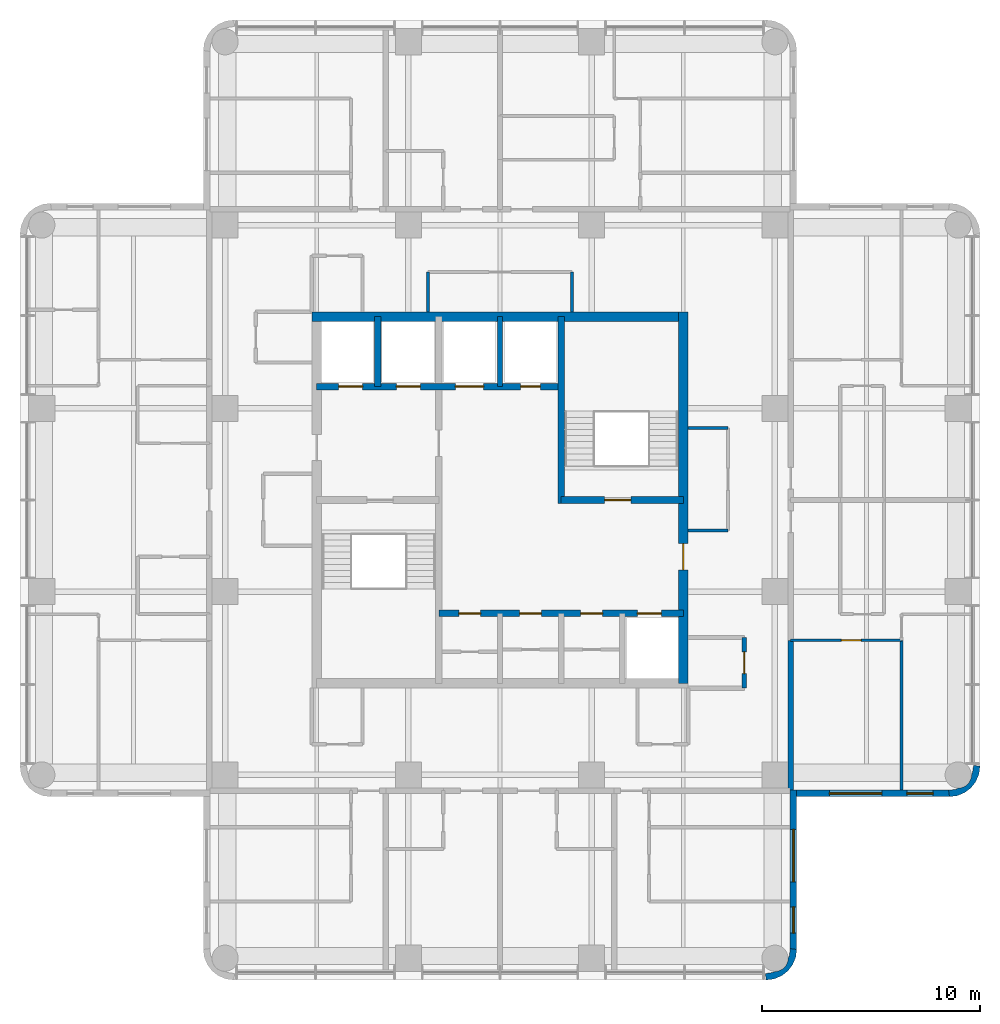
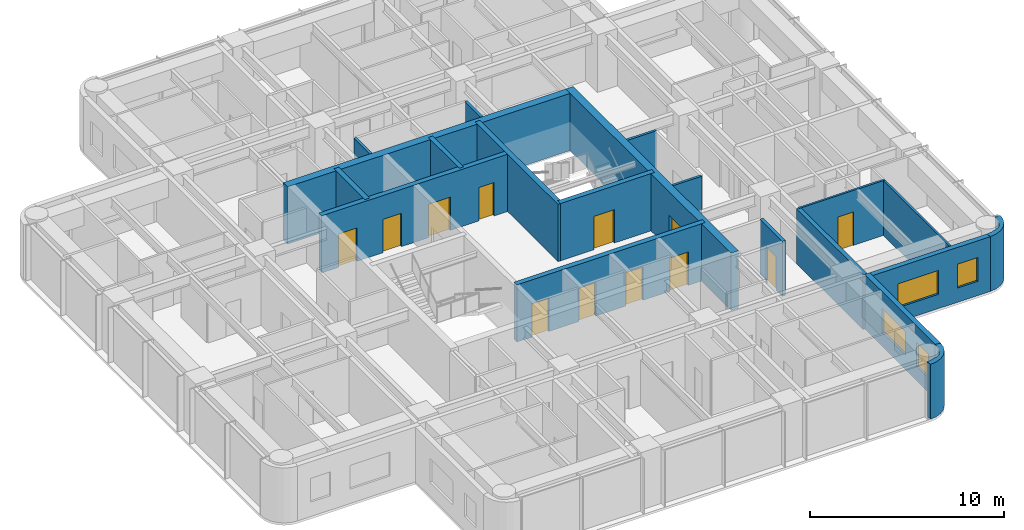
# One storey, part 6 of 10: 20 walls, 12 doors, 4 windows, 16 openings.
"""IFC4 building model written with IfcOpenShell, lengths in metres."""

from ifc_helpers import new_model, si_unit, direction, frame, frame_2d, origin, place, context, subcontext, project, spatial, polyline, rectangle, outline, extrude, material, layer, layer_set, type_object, element, fill, save


model = new_model("IFC4")

# Units and contexts
model_context = context("Model", 3, precision=1e-05, world=origin(), true_north=direction((0.0, 1.0)))
body_context = subcontext(model_context, "Body", "Model", "MODEL_VIEW")
ifc_project = project(units=[si_unit("LENGTHUNIT", "METRE"), si_unit("AREAUNIT", "SQUARE_METRE"), si_unit("VOLUMEUNIT", "CUBIC_METRE"), si_unit("PLANEANGLEUNIT", "RADIAN"), si_unit("MASSUNIT", "GRAM", prefix="KILO")], contexts=[model_context])

# Site, building, storey
site_placement = place(None, origin())
site = spatial("IfcSite", under=ifc_project, at=site_placement, CompositionType="ELEMENT")
building_placement = place(site_placement, origin())
building = spatial("IfcBuilding", under=site, at=building_placement, Name="Torre Alcanfor", CompositionType="ELEMENT")
storey_placement = place(building_placement, frame((0.0, 0.0, 272.10009765625)))
storey = spatial("IfcBuildingStorey", under=building, at=storey_placement, Name="L71", CompositionType="ELEMENT", Elevation=272.10009765625)

# Wall
ifc_material_1 = material(Name="Concrete block masonry, hollow blocks NMX-C-404 9 MPa", Category="masonry")
ifc_layer_1 = layer(ifc_material_1, 0.25)
ifc_layer_set_1 = layer_set([ifc_layer_1], Name="Apartment entrance wall 250 EI 60")
wall_type_1 = type_object("IfcWallType", Name="Apartment entrance wall 250 EI 60", PredefinedType="PARTITIONING", material=ifc_layer_set_1)
wall_1_placement = place(storey_placement, frame((42.72509765625, 22.970947265625, 0.0), z_axis=(0.0, 0.0, 1.0), x_axis=(0.0, -1.0, 0.0)))
element("IfcWall", 1, at=wall_1_placement, inside=storey, type_object=wall_type_1, Name="Partition L71-CORR / L71-E2-BED2", PredefinedType="PARTITIONING", context=body_context, shape_type="SweptSolid", body=[
    extrude(rectangle(XDim=6.870849609375, YDim=0.25, at=frame_2d((3.435546875, 0.0))), origin(), (0.0, 0.0, 1.0), 3.449951171875),
])

# Wall, opening, door
ifc_material_2 = material(Name="Gypsum board on steel studs", Category="steel")
ifc_layer_2 = layer(ifc_material_2, 0.1201171875)
ifc_layer_set_2 = layer_set([ifc_layer_2], Name="Apartment partition 120")
wall_type_2 = type_object("IfcWallType", Name="Apartment partition 120", PredefinedType="PARTITIONING", material=ifc_layer_set_2)
wall_2_placement = place(storey_placement, frame((47.800048828125, 22.970947265625, 0.0), z_axis=(0.0, 0.0, 1.0), x_axis=(-1.0, 0.0, 0.0)))
wall_2 = element("IfcWall", 2, at=wall_2_placement, inside=storey, type_object=wall_type_2, Name="Partition L71-E2-LIVING / L71-E2-BED2", PredefinedType="PARTITIONING", context=body_context, shape_type="SweptSolid", body=[
    extrude(rectangle(XDim=5.074951171875, YDim=0.1201171875, at=frame_2d((2.53759765625, 0.0))), origin(), (0.0, 0.0, 1.0), 3.449951171875),
])
opening_1_placement = place(wall_2_placement, frame((1.85009765625, 0.0, 0.0)))
opening_1 = element("IfcOpeningElement", 3, at=opening_1_placement, cuts=wall_2, Name="Opening D-R1", PredefinedType="OPENING", context=body_context, shape_type="SweptSolid", body=[
    extrude(rectangle(XDim=0.89990234375, YDim=2.10009765625, at=frame_2d((0.449951171875, 1.050048828125))), frame((0.0, 0.070068359375, 0.0), z_axis=(0.0, -1.0, 0.0), x_axis=(1.0, 0.0, 0.0)), (0.0, 0.0, 1.0), 0.14013671875),
])
ifc_material_3 = material(Name="Timber", Category="wood")
door_type_1 = type_object("IfcDoorType", Name="Internal door 900x2100", OperationType="SINGLE_SWING_LEFT", PredefinedType="DOOR", material=ifc_material_3)
door_1_placement = place(opening_1_placement, origin())
door_1 = element("IfcDoor", 4, at=door_1_placement, inside=storey, type_object=door_type_1, Name="Door L71-E2 bed2", OperationType="SINGLE_SWING_LEFT", OverallHeight=2.10009765625, OverallWidth=0.89990234375, PredefinedType="DOOR", context=body_context, shape_type="SweptSolid", body=[
    extrude(rectangle(XDim=0.89990234375, YDim=2.10009765625, at=frame_2d((0.449951171875, 1.050048828125))), frame((0.0, 0.02490234375, 0.0), z_axis=(0.0, -1.0, 0.0), x_axis=(1.0, 0.0, 0.0)), (0.0, 0.0, 1.0), 0.050048828125),
])
fill(opening_1, door_1)

# Wall
wall_3_placement = place(storey_placement, frame((47.800048828125, 22.970947265625, 0.0), z_axis=(0.0, 0.0, 1.0), x_axis=(0.0, -1.0, 0.0)))
element("IfcWall", 5, at=wall_3_placement, inside=storey, type_object=wall_type_2, Name="Partition L71-E2-BED2 / L71-E2-MASTER", PredefinedType="PARTITIONING", context=body_context, shape_type="SweptSolid", body=[
    extrude(rectangle(XDim=6.870849609375, YDim=0.1201171875, at=frame_2d((3.435546875, 0.0))), origin(), (0.0, 0.0, 1.0), 3.449951171875),
])

# Wall, openings, doors
ifc_material_4 = material(Name="Concrete f'c 70 MPa", Category="concrete")
ifc_layer_3 = layer(ifc_material_4, 0.300048828125)
ifc_layer_set_3 = layer_set([ifc_layer_3], Name="Core inner wall 300 f'c70")
wall_type_3 = type_object("IfcWallType", Name="Core inner wall 300 f'c70", PredefinedType="SHEAR", material=ifc_layer_set_3)
wall_4_placement = place(storey_placement, frame((21.0, 34.60009765625, 0.0), z_axis=(0.0, 0.0, 1.0), x_axis=(1.0, 0.0, 0.0)))
wall_4 = element("IfcWall", 6, at=wall_4_placement, inside=storey, type_object=wall_type_3, Name="Core wall Y346 L71", PredefinedType="SHEAR", context=body_context, shape_type="SweptSolid", body=[
    extrude(rectangle(XDim=11.199951171875, YDim=0.300048828125, at=frame_2d((5.60009765625, 0.0))), origin(), (0.0, 0.0, 1.0), 3.599853515625),
])
opening_2_placement = place(wall_4_placement, frame((9.35009765625, 0.0, 0.0)))
opening_2 = element("IfcOpeningElement", 7, at=opening_2_placement, cuts=wall_4, Name="Opening D-Q1", PredefinedType="OPENING", context=body_context, shape_type="SweptSolid", body=[
    extrude(rectangle(XDim=0.89990234375, YDim=2.10009765625, at=frame_2d((0.449951171875, 1.050048828125))), frame((0.0, 0.159912109375, 0.0), z_axis=(0.0, -1.0, 0.0), x_axis=(1.0, 0.0, 0.0)), (0.0, 0.0, 1.0), 0.320068359375),
])
opening_3_placement = place(wall_4_placement, frame((1.0, 0.0, 0.0)))
opening_3 = element("IfcOpeningElement", 8, at=opening_3_placement, cuts=wall_4, Name="Opening LD2", PredefinedType="OPENING", context=body_context, shape_type="SweptSolid", body=[
    extrude(rectangle(XDim=1.10009765625, YDim=2.10009765625, at=frame_2d((0.550048828125, 1.050048828125))), frame((0.0, 0.159912109375, 0.0), z_axis=(0.0, -1.0, 0.0), x_axis=(1.0, 0.0, 0.0)), (0.0, 0.0, 1.0), 0.320068359375),
])
opening_4_placement = place(wall_4_placement, frame((3.64990234375, 0.0, 0.0)))
opening_4 = element("IfcOpeningElement", 9, at=opening_4_placement, cuts=wall_4, Name="Opening LD2", PredefinedType="OPENING", context=body_context, shape_type="SweptSolid", body=[
    extrude(rectangle(XDim=1.10009765625, YDim=2.10009765625, at=frame_2d((0.550048828125, 1.050048828125))), frame((0.0, 0.159912109375, 0.0), z_axis=(0.0, -1.0, 0.0), x_axis=(1.0, 0.0, 0.0)), (0.0, 0.0, 1.0), 0.320068359375),
])
opening_5_placement = place(wall_4_placement, frame((6.35009765625, 0.0, 0.0)))
opening_5 = element("IfcOpeningElement", 10, at=opening_5_placement, cuts=wall_4, Name="Opening LD3", PredefinedType="OPENING", context=body_context, shape_type="SweptSolid", body=[
    extrude(rectangle(XDim=1.300048828125, YDim=2.10009765625, at=frame_2d((0.64990234375, 1.050048828125))), frame((0.0, 0.159912109375, 0.0), z_axis=(0.0, -1.0, 0.0), x_axis=(1.0, 0.0, 0.0)), (0.0, 0.0, 1.0), 0.320068359375),
])
ifc_material_5 = material(Name="Galvanised steel sheet ASTM A653", Category="steel")
door_type_2 = type_object("IfcDoorType", Name="Firefighting lift landing door 1100x2100", OperationType="DOUBLE_DOOR_SLIDING", PredefinedType="DOOR", material=ifc_material_5)
door_2_placement = place(opening_3_placement, origin())
door_2 = element("IfcDoor", 11, at=door_2_placement, inside=storey, type_object=door_type_2, Name="Lift landing door FL1 L71", OperationType="DOUBLE_DOOR_SLIDING", OverallHeight=2.10009765625, OverallWidth=1.10009765625, PredefinedType="DOOR", context=body_context, shape_type="SweptSolid", body=[
    extrude(rectangle(XDim=1.10009765625, YDim=2.10009765625, at=frame_2d((0.550048828125, 1.050048828125))), frame((0.0, 0.02490234375, 0.0), z_axis=(0.0, -1.0, 0.0), x_axis=(1.0, 0.0, 0.0)), (0.0, 0.0, 1.0), 0.050048828125),
])
fill(opening_3, door_2)
door_3_placement = place(opening_4_placement, origin())
door_3 = element("IfcDoor", 12, at=door_3_placement, inside=storey, type_object=door_type_2, Name="Lift landing door FL2 L71", OperationType="DOUBLE_DOOR_SLIDING", OverallHeight=2.10009765625, OverallWidth=1.10009765625, PredefinedType="DOOR", context=body_context, shape_type="SweptSolid", body=[
    extrude(rectangle(XDim=1.10009765625, YDim=2.10009765625, at=frame_2d((0.550048828125, 1.050048828125))), frame((0.0, 0.02490234375, 0.0), z_axis=(0.0, -1.0, 0.0), x_axis=(1.0, 0.0, 0.0)), (0.0, 0.0, 1.0), 0.050048828125),
])
fill(opening_4, door_3)
ifc_material_6 = material(Name="Galvanised steel sheet ASTM A653", Category="steel")
door_type_3 = type_object("IfcDoorType", Name="Riser access door FD120 900x2100", OperationType="SINGLE_SWING_LEFT", PredefinedType="DOOR", material=ifc_material_6)
door_4_placement = place(opening_2_placement, origin())
door_4 = element("IfcDoor", 13, at=door_4_placement, inside=storey, type_object=door_type_3, Name="Riser door L71", OperationType="SINGLE_SWING_LEFT", OverallHeight=2.10009765625, OverallWidth=0.89990234375, PredefinedType="DOOR", context=body_context, shape_type="SweptSolid", body=[
    extrude(rectangle(XDim=0.89990234375, YDim=2.10009765625, at=frame_2d((0.449951171875, 1.050048828125))), frame((0.0, 0.02490234375, 0.0), z_axis=(0.0, -1.0, 0.0), x_axis=(1.0, 0.0, 0.0)), (0.0, 0.0, 1.0), 0.050048828125),
])
fill(opening_2, door_4)
ifc_material_7 = material(Name="Galvanised steel sheet ASTM A653", Category="steel")
door_type_4 = type_object("IfcDoorType", Name="Service lift landing door 1300x2100", OperationType="DOUBLE_DOOR_SLIDING", PredefinedType="DOOR", material=ifc_material_7)
door_5_placement = place(opening_5_placement, origin())
door_5 = element("IfcDoor", 14, at=door_5_placement, inside=storey, type_object=door_type_4, Name="Lift landing door SL1 L71", OperationType="DOUBLE_DOOR_SLIDING", OverallHeight=2.10009765625, OverallWidth=1.300048828125, PredefinedType="DOOR", context=body_context, shape_type="SweptSolid", body=[
    extrude(rectangle(XDim=1.300048828125, YDim=2.10009765625, at=frame_2d((0.64990234375, 1.050048828125))), frame((0.0, 0.02490234375, 0.0), z_axis=(0.0, -1.0, 0.0), x_axis=(1.0, 0.0, 0.0)), (0.0, 0.0, 1.0), 0.050048828125),
])
fill(opening_5, door_5)

# Wall
wall_5_placement = place(storey_placement, frame((23.800048828125, 34.60009765625, 0.0), z_axis=(0.0, 0.0, 1.0), x_axis=(0.0, 1.0, 0.0)))
element("IfcWall", 15, at=wall_5_placement, inside=storey, type_object=wall_type_3, Name="Core wall X238 L71", PredefinedType="SHEAR", context=body_context, shape_type="SweptSolid", body=[
    extrude(rectangle(XDim=3.199951171875, YDim=0.300048828125, at=frame_2d((1.60009765625, 0.0))), origin(), (0.0, 0.0, 1.0), 3.599853515625),
])

# Wall, openings, doors
wall_6_placement = place(storey_placement, frame((26.60009765625, 24.199951171875, 0.0), z_axis=(0.0, 0.0, 1.0), x_axis=(1.0, 0.0, 0.0)))
wall_6 = element("IfcWall", 16, at=wall_6_placement, inside=storey, type_object=wall_type_3, Name="Core wall Y242 L71", PredefinedType="SHEAR", context=body_context, shape_type="SweptSolid", body=[
    extrude(rectangle(XDim=11.199951171875, YDim=0.300048828125, at=frame_2d((5.60009765625, 0.0))), origin(), (0.0, 0.0, 1.0), 3.599853515625),
])
opening_6_placement = place(wall_6_placement, frame((0.91259765625, 0.0, 0.0)))
opening_6 = element("IfcOpeningElement", 17, at=opening_6_placement, cuts=wall_6, Name="Opening D-K1", PredefinedType="OPENING", context=body_context, shape_type="SweptSolid", body=[
    extrude(rectangle(XDim=1.0, YDim=2.10009765625, at=frame_2d((0.5, 1.050048828125))), frame((0.0, 0.159912109375, 0.0), z_axis=(0.0, -1.0, 0.0), x_axis=(1.0, 0.0, 0.0)), (0.0, 0.0, 1.0), 0.320068359375),
])
opening_7_placement = place(wall_6_placement, frame((3.699951171875, 0.0, 0.0)))
opening_7 = element("IfcOpeningElement", 18, at=opening_7_placement, cuts=wall_6, Name="Opening D-K1", PredefinedType="OPENING", context=body_context, shape_type="SweptSolid", body=[
    extrude(rectangle(XDim=1.0, YDim=2.10009765625, at=frame_2d((0.5, 1.050048828125))), frame((0.0, 0.159912109375, 0.0), z_axis=(0.0, -1.0, 0.0), x_axis=(1.0, 0.0, 0.0)), (0.0, 0.0, 1.0), 0.320068359375),
])
opening_8_placement = place(wall_6_placement, frame((6.5, 0.0, 0.0)))
opening_8 = element("IfcOpeningElement", 19, at=opening_8_placement, cuts=wall_6, Name="Opening D-K1", PredefinedType="OPENING", context=body_context, shape_type="SweptSolid", body=[
    extrude(rectangle(XDim=1.0, YDim=2.10009765625, at=frame_2d((0.5, 1.050048828125))), frame((0.0, 0.159912109375, 0.0), z_axis=(0.0, -1.0, 0.0), x_axis=(1.0, 0.0, 0.0)), (0.0, 0.0, 1.0), 0.320068359375),
])
opening_9_placement = place(wall_6_placement, frame((9.10009765625, 0.0, 0.0)))
opening_9 = element("IfcOpeningElement", 20, at=opening_9_placement, cuts=wall_6, Name="Opening LD1", PredefinedType="OPENING", context=body_context, shape_type="SweptSolid", body=[
    extrude(rectangle(XDim=1.10009765625, YDim=2.10009765625, at=frame_2d((0.550048828125, 1.050048828125))), frame((0.0, 0.159912109375, 0.0), z_axis=(0.0, -1.0, 0.0), x_axis=(1.0, 0.0, 0.0)), (0.0, 0.0, 1.0), 0.320068359375),
])
ifc_material_8 = material(Name="Galvanised steel sheet ASTM A653", Category="steel")
door_type_5 = type_object("IfcDoorType", Name="Core room door FD60 1000x2100", OperationType="SINGLE_SWING_LEFT", PredefinedType="DOOR", material=ifc_material_8)
door_6_placement = place(opening_6_placement, frame((1.0, 0.0, 0.0), z_axis=(0.0, 0.0, 1.0), x_axis=(-1.0, 0.0, 0.0)))
door_6 = element("IfcDoor", 21, at=door_6_placement, inside=storey, type_object=door_type_5, Name="Cleaners' store door L71", OperationType="SINGLE_SWING_RIGHT", OverallHeight=2.10009765625, OverallWidth=1.0, PredefinedType="DOOR", context=body_context, shape_type="SweptSolid", body=[
    extrude(rectangle(XDim=1.0, YDim=2.10009765625, at=frame_2d((0.5, 1.050048828125))), frame((0.0, 0.025146484375, 0.0), z_axis=(0.0, -1.0, 0.0), x_axis=(1.0, 0.0, 0.0)), (0.0, 0.0, 1.0), 0.050048828125),
])
fill(opening_6, door_6)
door_7_placement = place(opening_7_placement, frame((1.0, 0.0, 0.0), z_axis=(0.0, 0.0, 1.0), x_axis=(-1.0, 0.0, 0.0)))
door_7 = element("IfcDoor", 22, at=door_7_placement, inside=storey, type_object=door_type_5, Name="Housekeeping store door L71", OperationType="SINGLE_SWING_RIGHT", OverallHeight=2.10009765625, OverallWidth=1.0, PredefinedType="DOOR", context=body_context, shape_type="SweptSolid", body=[
    extrude(rectangle(XDim=1.0, YDim=2.10009765625, at=frame_2d((0.5, 1.050048828125))), frame((0.0, 0.025146484375, 0.0), z_axis=(0.0, -1.0, 0.0), x_axis=(1.0, 0.0, 0.0)), (0.0, 0.0, 1.0), 0.050048828125),
])
fill(opening_7, door_7)
door_8_placement = place(opening_8_placement, frame((1.0, 0.0, 0.0), z_axis=(0.0, 0.0, 1.0), x_axis=(-1.0, 0.0, 0.0)))
door_8 = element("IfcDoor", 23, at=door_8_placement, inside=storey, type_object=door_type_5, Name="IT and comms room door L71", OperationType="SINGLE_SWING_RIGHT", OverallHeight=2.10009765625, OverallWidth=1.0, PredefinedType="DOOR", context=body_context, shape_type="SweptSolid", body=[
    extrude(rectangle(XDim=1.0, YDim=2.10009765625, at=frame_2d((0.5, 1.050048828125))), frame((0.0, 0.025146484375, 0.0), z_axis=(0.0, -1.0, 0.0), x_axis=(1.0, 0.0, 0.0)), (0.0, 0.0, 1.0), 0.050048828125),
])
fill(opening_8, door_8)
ifc_material_9 = material(Name="Galvanised steel sheet ASTM A653", Category="steel")
door_type_6 = type_object("IfcDoorType", Name="Lift landing door 1100x2100", OperationType="DOUBLE_DOOR_SLIDING", PredefinedType="DOOR", material=ifc_material_9)
door_9_placement = place(opening_9_placement, origin())
door_9 = element("IfcDoor", 24, at=door_9_placement, inside=storey, type_object=door_type_6, Name="Lift landing door PA4 L71", OperationType="DOUBLE_DOOR_SLIDING", OverallHeight=2.10009765625, OverallWidth=1.10009765625, PredefinedType="DOOR", context=body_context, shape_type="SweptSolid", body=[
    extrude(rectangle(XDim=1.10009765625, YDim=2.10009765625, at=frame_2d((0.550048828125, 1.050048828125))), frame((0.0, 0.02490234375, 0.0), z_axis=(0.0, -1.0, 0.0), x_axis=(1.0, 0.0, 0.0)), (0.0, 0.0, 1.0), 0.050048828125),
])
fill(opening_9, door_9)

# Wall
wall_7_placement = place(storey_placement, frame((32.199951171875, 29.25, 0.0), z_axis=(0.0, 0.0, 1.0), x_axis=(0.0, 1.0, 0.0)))
element("IfcWall", 25, at=wall_7_placement, inside=storey, type_object=wall_type_3, Name="Core wall X322N L71", PredefinedType="SHEAR", context=body_context, shape_type="SweptSolid", body=[
    extrude(rectangle(XDim=8.550048828125, YDim=0.300048828125, at=frame_2d((4.27490234375, 0.0))), origin(), (0.0, 0.0, 1.0), 3.599853515625),
])

# Wall, opening, door
wall_8_placement = place(storey_placement, frame((32.199951171875, 29.39990234375, 0.0), z_axis=(0.0, 0.0, 1.0), x_axis=(1.0, 0.0, 0.0)))
wall_8 = element("IfcWall", 26, at=wall_8_placement, inside=storey, type_object=wall_type_3, Name="Core wall Y294E L71", PredefinedType="SHEAR", context=body_context, shape_type="SweptSolid", body=[
    extrude(rectangle(XDim=5.60009765625, YDim=0.300048828125, at=frame_2d((2.800048828125, 0.0))), origin(), (0.0, 0.0, 1.0), 3.599853515625),
])
opening_10_placement = place(wall_8_placement, frame((2.0, 0.0, 0.0)))
opening_10 = element("IfcOpeningElement", 27, at=opening_10_placement, cuts=wall_8, Name="Opening D-S2", PredefinedType="OPENING", context=body_context, shape_type="SweptSolid", body=[
    extrude(rectangle(XDim=1.199951171875, YDim=2.10009765625, at=frame_2d((0.60009765625, 1.050048828125))), frame((0.0, 0.159912109375, 0.0), z_axis=(0.0, -1.0, 0.0), x_axis=(1.0, 0.0, 0.0)), (0.0, 0.0, 1.0), 0.320068359375),
])
ifc_material_10 = material(Name="Galvanised steel sheet ASTM A653", Category="steel")
door_type_7 = type_object("IfcDoorType", Name="Stair enclosure door FD120 1200x2100", OperationType="SINGLE_SWING_LEFT", PredefinedType="DOOR", material=ifc_material_10)
door_10_placement = place(opening_10_placement, origin())
door_10 = element("IfcDoor", 28, at=door_10_placement, inside=storey, type_object=door_type_7, Name="Stair S2 door L71", OperationType="SINGLE_SWING_LEFT", OverallHeight=2.10009765625, OverallWidth=1.199951171875, PredefinedType="DOOR", context=body_context, shape_type="SweptSolid", body=[
    extrude(rectangle(XDim=1.199951171875, YDim=2.10009765625, at=frame_2d((0.60009765625, 1.050048828125))), frame((0.0, 0.02490234375, 0.0), z_axis=(0.0, -1.0, 0.0), x_axis=(1.0, 0.0, 0.0)), (0.0, 0.0, 1.0), 0.050048828125),
])
fill(opening_10, door_10)

# Wall
ifc_material_11 = material(Name="Concrete f'c 70 MPa", Category="concrete")
ifc_layer_4 = layer(ifc_material_11, 0.25)
ifc_layer_set_4 = layer_set([ifc_layer_4], Name="Core shaft wall 250 f'c70")
wall_type_4 = type_object("IfcWallType", Name="Core shaft wall 250 f'c70", PredefinedType="SHEAR", material=ifc_layer_set_4)
wall_9_placement = place(storey_placement, frame((29.39990234375, 34.60009765625, 0.0), z_axis=(0.0, 0.0, 1.0), x_axis=(0.0, 1.0, 0.0)))
element("IfcWall", 29, at=wall_9_placement, inside=storey, type_object=wall_type_4, Name="Core wall X294N L71", PredefinedType="SHEAR", context=body_context, shape_type="SweptSolid", body=[
    extrude(rectangle(XDim=3.199951171875, YDim=0.25, at=frame_2d((1.60009765625, 0.0))), origin(), (0.0, 0.0, 1.0), 3.599853515625),
])

# Wall, opening, door
ifc_material_12 = material(Name="Concrete f'c 70 MPa", Category="concrete")
ifc_layer_5 = layer(ifc_material_12, 0.449951171875)
ifc_layer_set_5 = layer_set([ifc_layer_5], Name="Core wall 450 f'c70")
wall_type_5 = type_object("IfcWallType", Name="Core wall 450 f'c70", PredefinedType="SHEAR", material=ifc_layer_set_5)
wall_10_placement = place(storey_placement, frame((37.800048828125, 21.0, 0.0), z_axis=(0.0, 0.0, 1.0), x_axis=(0.0, 1.0, 0.0)))
wall_10 = element("IfcWall", 30, at=wall_10_placement, inside=storey, type_object=wall_type_5, Name="Core wall OUT-E L71", PredefinedType="SHEAR", context=body_context, shape_type="SweptSolid", body=[
    extrude(rectangle(XDim=17.02490234375, YDim=0.449951171875, at=frame_2d((8.512451171875, 0.0))), origin(), (0.0, 0.0, 1.0), 3.599853515625),
])
opening_11_placement = place(wall_10_placement, frame((5.199951171875, 0.0, 0.0)))
opening_11 = element("IfcOpeningElement", 31, at=opening_11_placement, cuts=wall_10, Name="Opening D-L1", PredefinedType="OPENING", context=body_context, shape_type="SweptSolid", body=[
    extrude(rectangle(XDim=1.199951171875, YDim=2.10009765625, at=frame_2d((0.60009765625, 1.050048828125))), frame((0.0, 0.23486328125, 0.0), z_axis=(0.0, -1.0, 0.0), x_axis=(1.0, 0.0, 0.0)), (0.0, 0.0, 1.0), 0.469970703125),
])
ifc_material_13 = material(Name="Galvanised steel sheet ASTM A653", Category="steel")
door_type_8 = type_object("IfcDoorType", Name="Lobby door FD120 1200x2100", OperationType="SINGLE_SWING_LEFT", PredefinedType="DOOR", material=ifc_material_13)
door_11_placement = place(opening_11_placement, origin())
door_11 = element("IfcDoor", 32, at=door_11_placement, inside=storey, type_object=door_type_8, Name="Lift lobby entrance door L71", OperationType="SINGLE_SWING_LEFT", OverallHeight=2.10009765625, OverallWidth=1.199951171875, PredefinedType="DOOR", context=body_context, shape_type="SweptSolid", body=[
    extrude(rectangle(XDim=1.199951171875, YDim=2.10009765625, at=frame_2d((0.60009765625, 1.050048828125))), frame((0.0, 0.02490234375, 0.0), z_axis=(0.0, -1.0, 0.0), x_axis=(1.0, 0.0, 0.0)), (0.0, 0.0, 1.0), 0.050048828125),
])
fill(opening_11, door_11)

# Wall
wall_11_placement = place(storey_placement, frame((37.800048828125, 37.800048828125, 0.0), z_axis=(0.0, 0.0, 1.0), x_axis=(-1.0, 0.0, 0.0)))
element("IfcWall", 33, at=wall_11_placement, inside=storey, type_object=wall_type_5, Name="Core wall OUT-N L71", PredefinedType="SHEAR", context=body_context, shape_type="SweptSolid", body=[
    extrude(rectangle(XDim=17.025146484375, YDim=0.449951171875, at=frame_2d((8.5126953125, 0.0))), origin(), (0.0, 0.0, 1.0), 3.599853515625),
])

# Wall, openings, windows
ifc_material_14 = material(Name="Limestone cladding", Category="masonry")
ifc_layer_6 = layer(ifc_material_14, 0.0400390625, Name="Facing")
ifc_material_15 = material(Name="Ventilated air cavity")
ifc_layer_7 = layer(ifc_material_15, 0.02001953125, ventilated=True, Name="Ventilated joint")
ifc_material_16 = material(Name="Mineral wool insulation", Category="insulation")
ifc_layer_8 = layer(ifc_material_16, 0.10009765625, Name="Insulation")
ifc_material_17 = material(Name="Concrete f'c 35 MPa", Category="concrete")
ifc_layer_9 = layer(ifc_material_17, 0.139892578125, Name="Backing")
ifc_layer_set_6 = layer_set([ifc_layer_6, ifc_layer_7, ifc_layer_8, ifc_layer_9], Name="External wall stone-clad 300")
wall_type_6 = type_object("IfcWallType", Name="External wall stone-clad 300", PredefinedType="SOLIDWALL", material=ifc_layer_set_6)
wall_12_placement = place(storey_placement, frame((42.85009765625, 8.800048828125, 0.0), z_axis=(0.0, 0.0, 1.0), x_axis=(0.0, 1.0, 0.0)))
wall_12 = element("IfcWall", 34, at=wall_12_placement, inside=storey, type_object=wall_type_6, Name="External wall L71 6", PredefinedType="SOLIDWALL", context=body_context, shape_type="SweptSolid", body=[
    extrude(rectangle(XDim=7.300048828125, YDim=0.300048828125, at=frame_2d((3.64990234375, 0.0))), origin(), (0.0, 0.0, 1.0), 3.449951171875),
])
opening_12_placement = place(wall_12_placement, frame((3.10009765625, 0.0, 0.89990234375)))
opening_12 = element("IfcOpeningElement", 35, at=opening_12_placement, cuts=wall_12, Name="Opening W1", PredefinedType="OPENING", context=body_context, shape_type="SweptSolid", body=[
    extrude(rectangle(XDim=2.39990234375, YDim=1.5, at=frame_2d((1.199951171875, 0.75))), frame((0.0, 0.159912109375, 0.0), z_axis=(0.0, -1.0, 0.0), x_axis=(1.0, 0.0, 0.0)), (0.0, 0.0, 1.0), 0.320068359375),
])
opening_13_placement = place(wall_12_placement, frame((0.75, 0.0, 0.89990234375)))
opening_13 = element("IfcOpeningElement", 36, at=opening_13_placement, cuts=wall_12, Name="Opening W4", PredefinedType="OPENING", context=body_context, shape_type="SweptSolid", body=[
    extrude(rectangle(XDim=1.199951171875, YDim=1.5, at=frame_2d((0.60009765625, 0.75))), frame((0.0, 0.159912109375, 0.0), z_axis=(0.0, -1.0, 0.0), x_axis=(1.0, 0.0, 0.0)), (0.0, 0.0, 1.0), 0.320068359375),
])
ifc_material_18 = material(Name="Aluminium frame with clear double glazing", Category="aluminium")
window_type_1 = type_object("IfcWindowType", Name="Window bedroom 1200x1500", PartitioningType="SINGLE_PANEL", PredefinedType="WINDOW", material=ifc_material_18)
window_1_placement = place(opening_13_placement, origin())
window_1 = element("IfcWindow", 37, at=window_1_placement, inside=storey, type_object=window_type_1, Name="Window W4 L71-S1", OverallHeight=1.5, OverallWidth=1.199951171875, PartitioningType="SINGLE_PANEL", PredefinedType="WINDOW", context=body_context, shape_type="SweptSolid", body=[
    extrude(rectangle(XDim=1.199951171875, YDim=1.5, at=frame_2d((0.60009765625, 0.75))), frame((0.0, 0.030029296875, 0.0), z_axis=(0.0, -1.0, 0.0), x_axis=(1.0, 0.0, 0.0)), (0.0, 0.0, 1.0), 0.06005859375),
])
fill(opening_13, window_1)
ifc_material_19 = material(Name="Aluminium frame with clear double glazing", Category="aluminium")
window_type_2 = type_object("IfcWindowType", Name="Window bedroom 2400x1500", PartitioningType="SINGLE_PANEL", PredefinedType="WINDOW", material=ifc_material_19)
window_2_placement = place(opening_12_placement, origin())
window_2 = element("IfcWindow", 38, at=window_2_placement, inside=storey, type_object=window_type_2, Name="Window W1 L71-S1", OverallHeight=1.5, OverallWidth=2.39990234375, PartitioningType="SINGLE_PANEL", PredefinedType="WINDOW", context=body_context, shape_type="SweptSolid", body=[
    extrude(rectangle(XDim=2.39990234375, YDim=1.5, at=frame_2d((1.199951171875, 0.75))), frame((0.0, 0.030029296875, 0.0), z_axis=(0.0, -1.0, 0.0), x_axis=(1.0, 0.0, 0.0)), (0.0, 0.0, 1.0), 0.06005859375),
])
fill(opening_12, window_2)

wall_13_placement = place(storey_placement, frame((43.0, 15.949951171875, 0.0), z_axis=(0.0, 0.0, 1.0), x_axis=(1.0, 0.0, 0.0)))
wall_13 = element("IfcWall", 39, at=wall_13_placement, inside=storey, type_object=wall_type_6, Name="External wall L71 7", PredefinedType="SOLIDWALL", context=body_context, shape_type="SweptSolid", body=[
    extrude(rectangle(XDim=7.0, YDim=0.300048828125, at=frame_2d((3.5, 0.0))), origin(), (0.0, 0.0, 1.0), 3.449951171875),
])
opening_14_placement = place(wall_13_placement, frame((1.5, 0.0, 0.89990234375)))
opening_14 = element("IfcOpeningElement", 40, at=opening_14_placement, cuts=wall_13, Name="Opening W1", PredefinedType="OPENING", context=body_context, shape_type="SweptSolid", body=[
    extrude(rectangle(XDim=2.39990234375, YDim=1.5, at=frame_2d((1.199951171875, 0.75))), frame((0.0, 0.159912109375, 0.0), z_axis=(0.0, -1.0, 0.0), x_axis=(1.0, 0.0, 0.0)), (0.0, 0.0, 1.0), 0.320068359375),
])
opening_15_placement = place(wall_13_placement, frame((5.050048828125, 0.0, 0.89990234375)))
opening_15 = element("IfcOpeningElement", 41, at=opening_15_placement, cuts=wall_13, Name="Opening W4", PredefinedType="OPENING", context=body_context, shape_type="SweptSolid", body=[
    extrude(rectangle(XDim=1.199951171875, YDim=1.5, at=frame_2d((0.60009765625, 0.75))), frame((0.0, 0.159912109375, 0.0), z_axis=(0.0, -1.0, 0.0), x_axis=(1.0, 0.0, 0.0)), (0.0, 0.0, 1.0), 0.320068359375),
])
window_3_placement = place(opening_15_placement, origin())
window_3 = element("IfcWindow", 42, at=window_3_placement, inside=storey, type_object=window_type_1, Name="Window W4 L71-E2", OverallHeight=1.5, OverallWidth=1.199951171875, PartitioningType="SINGLE_PANEL", PredefinedType="WINDOW", context=body_context, shape_type="SweptSolid", body=[
    extrude(rectangle(XDim=1.199951171875, YDim=1.5, at=frame_2d((0.60009765625, 0.75))), frame((0.0, 0.030029296875, 0.0), z_axis=(0.0, -1.0, 0.0), x_axis=(1.0, 0.0, 0.0)), (0.0, 0.0, 1.0), 0.06005859375),
])
fill(opening_15, window_3)
window_4_placement = place(opening_14_placement, origin())
window_4 = element("IfcWindow", 43, at=window_4_placement, inside=storey, type_object=window_type_2, Name="Window W1 L71-E2", OverallHeight=1.5, OverallWidth=2.39990234375, PartitioningType="SINGLE_PANEL", PredefinedType="WINDOW", context=body_context, shape_type="SweptSolid", body=[
    extrude(rectangle(XDim=2.39990234375, YDim=1.5, at=frame_2d((1.199951171875, 0.75))), frame((0.0, 0.030029296875, 0.0), z_axis=(0.0, -1.0, 0.0), x_axis=(1.0, 0.0, 0.0)), (0.0, 0.0, 1.0), 0.06005859375),
])
fill(opening_14, window_4)

# Wall, opening, door
ifc_material_20 = material(Name="Concrete block masonry, hollow blocks NMX-C-404 9 MPa", Category="masonry")
ifc_layer_10 = layer(ifc_material_20, 0.199951171875)
ifc_layer_set_7 = layer_set([ifc_layer_10], Name="Plant room wall 200 EI 60")
wall_type_7 = type_object("IfcWallType", Name="Plant room wall 200 EI 60", PredefinedType="PARTITIONING", material=ifc_layer_set_7)
wall_14_placement = place(storey_placement, frame((40.60009765625, 20.77490234375, 0.0), z_axis=(0.0, 0.0, 1.0), x_axis=(0.0, 1.0, 0.0)))
wall_14 = element("IfcWall", 44, at=wall_14_placement, inside=storey, type_object=wall_type_7, Name="Partition L71-CORR / L71-G03", PredefinedType="PARTITIONING", context=body_context, shape_type="SweptSolid", body=[
    extrude(rectangle(XDim=2.3251953125, YDim=0.199951171875, at=frame_2d((1.16259765625, 0.0))), origin(), (0.0, 0.0, 1.0), 3.449951171875),
])
opening_16_placement = place(wall_14_placement, frame((0.66259765625, 0.0, 0.0)))
opening_16 = element("IfcOpeningElement", 45, at=opening_16_placement, cuts=wall_14, Name="Opening D-K1", PredefinedType="OPENING", context=body_context, shape_type="SweptSolid", body=[
    extrude(rectangle(XDim=1.0, YDim=2.10009765625, at=frame_2d((0.5, 1.050048828125))), frame((0.0, 0.10986328125, 0.0), z_axis=(0.0, -1.0, 0.0), x_axis=(1.0, 0.0, 0.0)), (0.0, 0.0, 1.0), 0.219970703125),
])
door_12_placement = place(opening_16_placement, origin())
door_12 = element("IfcDoor", 46, at=door_12_placement, inside=storey, type_object=door_type_5, Name="Door L71-G03 refuse and recycling store", OperationType="SINGLE_SWING_LEFT", OverallHeight=2.10009765625, OverallWidth=1.0, PredefinedType="DOOR", context=body_context, shape_type="SweptSolid", body=[
    extrude(rectangle(XDim=1.0, YDim=2.10009765625, at=frame_2d((0.5, 1.050048828125))), frame((0.0, 0.02490234375, 0.0), z_axis=(0.0, -1.0, 0.0), x_axis=(1.0, 0.0, 0.0)), (0.0, 0.0, 1.0), 0.050048828125),
])
fill(opening_16, door_12)

# Walls
ifc_material_21 = material(Name="Concrete block masonry, hollow blocks NMX-C-404 9 MPa", Category="masonry")
ifc_layer_11 = layer(ifc_material_21, 0.14990234375)
ifc_layer_set_8 = layer_set([ifc_layer_11], Name="Residents' room partition 150")
wall_type_8 = type_object("IfcWallType", Name="Residents' room partition 150", PredefinedType="PARTITIONING", material=ifc_layer_set_8)
for number, where, z_axis, x_axis, name in (
    (47, (32.699951171875, 38.02490234375, 0.0), (0.0, 0.0, 1.0), (0.0, 1.0, 0.0), "Partition L71-CORR / L71-G02"),
    (48, (26.10009765625, 39.85009765625, 0.0), (0.0, 0.0, 1.0), (0.0, -1.0, 0.0), "Partition L71-CORR / L71-G02"),
    (49, (38.02490234375, 28.0, 0.0), (0.0, 0.0, 1.0), (1.0, 0.0, 0.0), "Partition L71-CORR / L71-G04"),
    (50, (39.85009765625, 32.699951171875, 0.0), (0.0, 0.0, 1.0), (-1.0, 0.0, 0.0), "Partition L71-CORR / L71-G04"),
):
    element("IfcWall", number, at=place(storey_placement, frame(where, z_axis=z_axis, x_axis=x_axis)), inside=storey, type_object=wall_type_8, Name=name, PredefinedType="PARTITIONING", context=body_context, shape_type="SweptSolid", body=[
        extrude(rectangle(XDim=1.8251953125, YDim=0.14990234375, at=frame_2d((0.91259765625, 0.0))), origin(), (0.0, 0.0, 1.0), 3.449951171875),
    ])
ifc_layer_12 = layer(ifc_material_14, 0.0400390625, Name="Facing")
ifc_layer_13 = layer(ifc_material_15, 0.02001953125, ventilated=True, Name="Ventilated joint")
ifc_layer_14 = layer(ifc_material_16, 0.10009765625, Name="Insulation")
ifc_layer_15 = layer(ifc_material_17, 0.139892578125, Name="Backing")
ifc_layer_set_9 = layer_set([ifc_layer_12, ifc_layer_13, ifc_layer_14, ifc_layer_15], Name="Rounded corner pier stone-clad 300")
wall_type_9 = type_object("IfcWallType", Name="Rounded corner pier stone-clad 300", PredefinedType="SOLIDWALL", material=ifc_layer_set_9)
wall_15_placement = place(storey_placement, frame((41.638418254, 7.824101883, 0.0), z_axis=(0.0, 0.0, 1.0), x_axis=(0.707106781187, -0.707106781187, 0.0)))
element("IfcWall", 51, at=wall_15_placement, inside=storey, type_object=wall_type_9, Name="Corner pier L71 16", PredefinedType="SOLIDWALL", context=body_context, shape_type="SweptSolid", body=[
    extrude(outline(polyline([(0.0325517960828704, 1.468682453281438), (0.04670774238592146, 1.4545265069783868), (0.23297927971509252, 1.2116311844370118), (0.29219256729980597, 1.0692085539489986), (0.35796592756154294, 1.0034351936872616), (0.44946167805687254, 0.7824643245664655), (0.44946167805687254, 0.5431943053466035), (0.3577932940700423, 0.322396069717308), (0.2921925672998059, 0.2567953429470716), (0.23315191320659318, 0.1142000789675579), (0.046707742385921465, -0.12886787706531783), (0.03272442957437109, -0.14285118987686818), (0.2728576162517362, -0.3270511253080318), (0.4952095533045373, -0.03702685958698693), (0.6350426814200412, 0.3006442497882296), (0.6826895250742129, 0.6628293149565345), (0.635042681420041, 1.0253596471078406), (0.49520955330453736, 1.3630307564830573), (0.2726849827602357, 1.6528823887126016), (0.0325517960828704, 1.468682453281438)])), origin(), (0.0, 0.0, 1.0), 3.449951171875),
])
wall_16_placement = place(storey_placement, frame((50.038418254, 16.224101883, 0.0), z_axis=(0.0, 0.0, 1.0), x_axis=(0.707106781187, -0.707106781187, 0.0)))
element("IfcWall", 52, at=wall_16_placement, inside=storey, type_object=wall_type_9, Name="Corner pier L71 17", PredefinedType="SOLIDWALL", context=body_context, shape_type="SweptSolid", body=[
    extrude(outline(polyline([(0.046707742385922124, 1.454733667168189), (0.23315191320659384, 1.2116657111353133), (0.29219256729980647, 1.0690704471557995), (0.35796592756154344, 1.0032970868940625), (0.44928904456537255, 0.782498851264767), (0.44946167805687315, 0.5434014655364057), (0.3579659275615435, 0.3224305964156095), (0.2921925672998065, 0.25665723615387254), (0.2331519132065938, 0.11406197217435879), (0.046535108894421466, -0.1288333503670163), (0.032551796082871086, -0.14281666317856667), (0.2726849827602362, -0.3270165986097303), (0.495209553304538, -0.03716496638018607), (0.6350426814200417, 0.30050614299503053), (0.6826895250742134, 0.6630364751463366), (0.6350426814200417, 1.0252215403146416), (0.495209553304538, 1.3628926496898581), (0.27268498276023634, 1.6527442819194023), (0.032724429574371716, 1.4687169799797393), (0.046707742385922124, 1.454733667168189)])), origin(), (0.0, 0.0, 1.0), 3.449951171875),
])

save(model, "model.ifc")
